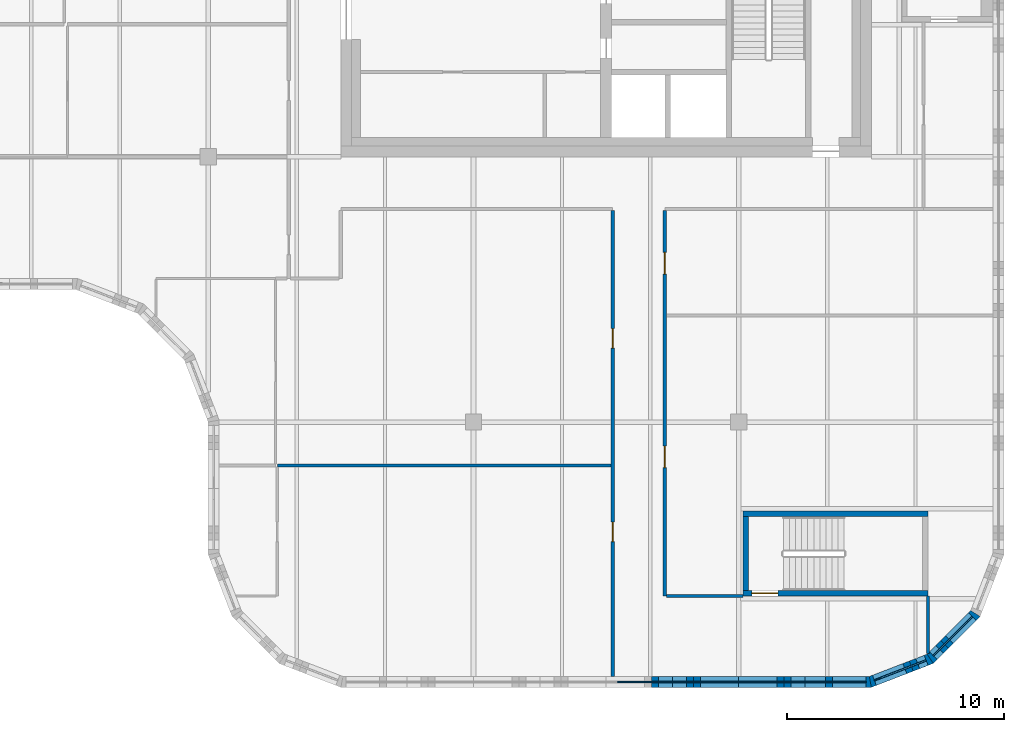
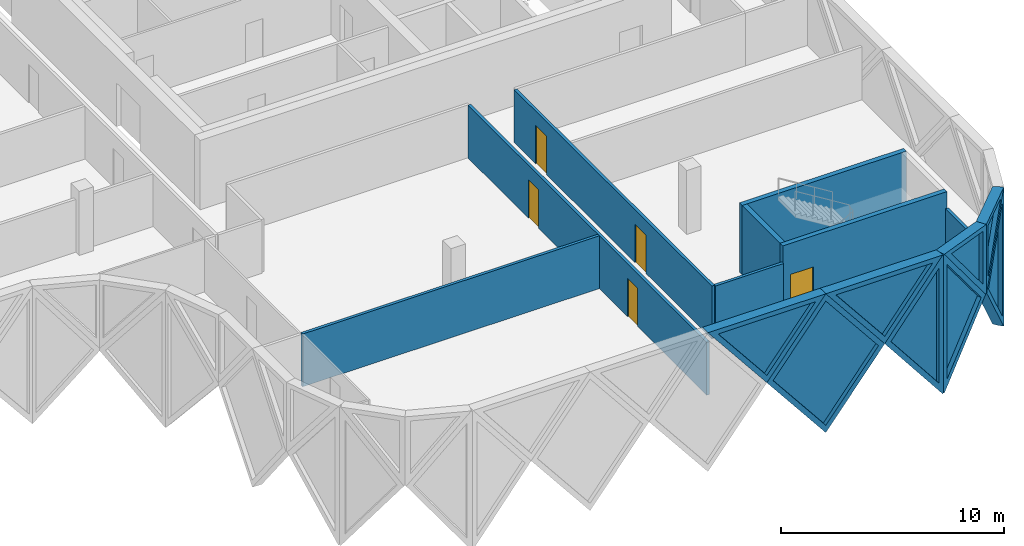
# One storey, part 6 of 15: 16 walls, 8 plates, 5 doors, 13 openings.
"""IFC4 building model written with IfcOpenShell, lengths in metres."""

import ifcopenshell
import ifcopenshell.guid

model = None  # the IFC model being written
_history = None  # IfcOwnerHistory: only IFC2X3 demands one
_inside = {}  # id of a spatial element -> (the spatial element, [elements in it])
_under = {}  # id of a project, library or spatial element -> (it, [spatial elements below it])
_declared = {}  # id of a project -> (the project, [libraries it declares])
_typed = {}  # id of a type object -> (the type object, [elements of that type])
_made_of = {}  # id of a material, layer set ... -> (it, [elements and type objects made of it])


def new_model(schema):
    """Start an empty IFC model of exactly this schema.

    Asked for "IFC4X3", IfcOpenShell would pick the latest addendum, in which some entities
    have other attributes; the version numbers below select the first issue.
    IFC2X3 requires an IfcOwnerHistory on every rooted entity: one is made here for all.
    """
    global model, _history
    if schema == "IFC4X3":
        model = ifcopenshell.file(schema_version=(4, 3, 0, 0))
    else:
        model = ifcopenshell.file(schema=schema)
    _inside.clear()
    _under.clear()
    _declared.clear()
    _typed.clear()
    _made_of.clear()
    _history = None
    if model.schema == "IFC2X3":
        org = make("IfcOrganization", Name="unknown")
        user = make(
            "IfcPersonAndOrganization",
            ThePerson=make("IfcPerson", FamilyName="unknown"),
            TheOrganization=org,
        )
        app = make(
            "IfcApplication",
            ApplicationDeveloper=org,
            Version="unknown",
            ApplicationFullName="unknown",
            ApplicationIdentifier="unknown",
        )
        _history = make(
            "IfcOwnerHistory",
            OwningUser=user,
            OwningApplication=app,
            ChangeAction="ADDED",
            CreationDate=0,
        )
    return model


def make(cls, **values):
    """One entity of the class cls with the attributes given. An attribute that is None is left unset."""
    return model.create_entity(
        cls, **{name: value for name, value in values.items() if value is not None}
    )


def rooted(cls, **values):
    """An entity with a GlobalId (a new one), such as an element, a storey or a relation."""
    return make(cls, GlobalId=ifcopenshell.guid.new(), OwnerHistory=_history, **values)


def si_unit(unit_type, name, prefix=None):
    """IfcSIUnit, for example si_unit("LENGTHUNIT", "METRE", prefix="MILLI")."""
    return make("IfcSIUnit", UnitType=unit_type, Prefix=prefix, Name=name)


def assignment(units):
    """IfcUnitAssignment: the units of a project."""
    return None if units is None else make("IfcUnitAssignment", Units=units)


def point(xyz):
    """IfcCartesianPoint."""
    return None if xyz is None else make("IfcCartesianPoint", Coordinates=xyz)


def direction(xyz):
    """IfcDirection."""
    return None if xyz is None else make("IfcDirection", DirectionRatios=xyz)


def frame(location, z_axis=None, x_axis=None):
    """IfcAxis2Placement3D, a coordinate frame: its origin and axes. An axis left out is left unset."""
    return make(
        "IfcAxis2Placement3D",
        Location=point(location),
        Axis=direction(z_axis),
        RefDirection=direction(x_axis),
    )


def frame_2d(location, x_axis=None):
    """IfcAxis2Placement2D, a coordinate frame in the plane: its origin and x axis."""
    return make(
        "IfcAxis2Placement2D", Location=point(location), RefDirection=direction(x_axis)
    )


def origin():
    """The frame at (0, 0, 0) with its axes left unset."""
    return frame((0.0, 0.0, 0.0))


def place(relative_to, where):
    """IfcLocalPlacement: puts the frame where relative to a parent placement (None: the world)."""
    return make(
        "IfcLocalPlacement", PlacementRelTo=relative_to, RelativePlacement=where
    )


def context(
    kind, dimensions, precision=None, world=None, true_north=None, identifier=None
):
    """IfcGeometricRepresentationContext, for example the 3D "Model" context."""
    return make(
        "IfcGeometricRepresentationContext",
        ContextIdentifier=identifier,
        ContextType=kind,
        CoordinateSpaceDimension=dimensions,
        Precision=precision,
        WorldCoordinateSystem=world,
        TrueNorth=true_north,
    )


def subcontext(parent, identifier, kind, view, scale=None):
    """IfcGeometricRepresentationSubContext, for example "Body" below "Model"."""
    return make(
        "IfcGeometricRepresentationSubContext",
        ContextIdentifier=identifier,
        ContextType=kind,
        ParentContext=parent,
        TargetScale=scale,
        TargetView=view,
    )


def project(units=None, contexts=None):
    """IfcProject with its units and contexts."""
    return rooted(
        "IfcProject",
        Name="project",
        RepresentationContexts=contexts,
        UnitsInContext=assignment(units),
    )


def spatial(cls, under=None, at=None, **own):
    """A site, building, storey or space (cls), placed at a placement, below another one or the project."""
    s = rooted(cls, ObjectPlacement=at, **own)
    if under is not None:
        _under.setdefault(under.id(), (under, []))[1].append(s)
    return s


def polyline(points):
    """IfcPolyline through the points."""
    return make("IfcPolyline", Points=[point(p) for p in points])


def profile(cls, at=None, kind="AREA", **sizes):
    """A parametric profile (cls). Its sizes go by their IFC names, for example OverallWidth=200.0."""
    return make(cls, ProfileType=kind, Position=at, **sizes)


def rectangle(**sizes):
    """IfcRectangleProfileDef."""
    return profile("IfcRectangleProfileDef", **sizes)


def outline(outer, holes=None, kind="AREA"):
    """IfcArbitraryClosedProfileDef: a profile drawn as a closed curve; with holes, ...WithVoids."""
    if holes is None:
        return make("IfcArbitraryClosedProfileDef", ProfileType=kind, OuterCurve=outer)
    return make(
        "IfcArbitraryProfileDefWithVoids",
        ProfileType=kind,
        OuterCurve=outer,
        InnerCurves=holes,
    )


def extrude(swept, where, along, depth):
    """IfcExtrudedAreaSolid: the profile swept, set in the frame where, extruded along a direction by depth."""
    return make(
        "IfcExtrudedAreaSolid",
        SweptArea=swept,
        Position=where,
        ExtrudedDirection=direction(along),
        Depth=depth,
    )


def faces_of(points, faces, orient=None, outer=None):
    """IfcFace entities. A face is a list of loops; a loop is a list of indices into points, from 0.

    orient and outer hold one flag for each loop. By default every Orientation is true, the
    first loop of a face is its IfcFaceOuterBound and the others are IfcFaceBound.
    """
    made = []
    for i, loops in enumerate(faces):
        bounds = []
        for j, loop in enumerate(loops):
            is_outer = j == 0 if outer is None else outer[i][j]
            bounds.append(
                make(
                    "IfcFaceOuterBound" if is_outer else "IfcFaceBound",
                    Bound=make("IfcPolyLoop", Polygon=[points[k] for k in loop]),
                    Orientation=True if orient is None else orient[i][j],
                )
            )
        made.append(make("IfcFace", Bounds=bounds))
    return made


def faceted_brep(points, faces, orient=None, outer=None, voids=None):
    """IfcFacetedBrep: a solid bounded by flat faces; with voids (closed shells), ...WithVoids."""
    shared = [point(p) for p in points]
    hull = make("IfcClosedShell", CfsFaces=faces_of(shared, faces, orient, outer))
    if voids is None:
        return make("IfcFacetedBrep", Outer=hull)
    return make(
        "IfcFacetedBrepWithVoids",
        Outer=hull,
        Voids=[
            make(cls, CfsFaces=faces_of(shared, fs, o, b)) for cls, fs, o, b in voids
        ],
    )


def shape(context_of_items, identifier, shape_type, items):
    """IfcShapeRepresentation: the items that make up one representation, for example the "Body"."""
    return make(
        "IfcShapeRepresentation",
        ContextOfItems=context_of_items,
        RepresentationIdentifier=identifier,
        RepresentationType=shape_type,
        Items=items,
    )


def source(mapping_origin, context_of_items, identifier, shape_type, items):
    """IfcRepresentationMap: a shape defined once, which mapped items show again and again."""
    return make(
        "IfcRepresentationMap",
        MappingOrigin=mapping_origin,
        MappedRepresentation=shape(context_of_items, identifier, shape_type, items),
    )


def transform(
    local_origin,
    x_axis=None,
    y_axis=None,
    z_axis=None,
    scale=None,
    scale2=None,
    scale3=None,
    uniform=True,
):
    """IfcCartesianTransformationOperator3D, or its non-uniform kind. x_axis, y_axis, z_axis: its Axis1, 2, 3."""
    if uniform:
        return make(
            "IfcCartesianTransformationOperator3D",
            Axis1=direction(x_axis),
            Axis2=direction(y_axis),
            LocalOrigin=point(local_origin),
            Scale=scale,
            Axis3=direction(z_axis),
        )
    return make(
        "IfcCartesianTransformationOperator3DnonUniform",
        Axis1=direction(x_axis),
        Axis2=direction(y_axis),
        LocalOrigin=point(local_origin),
        Scale=scale,
        Axis3=direction(z_axis),
        Scale2=scale2,
        Scale3=scale3,
    )


def mapped(mapping_source, mapping_target):
    """IfcMappedItem: shows the shape of a source again, moved by a transform."""
    return make(
        "IfcMappedItem", MappingSource=mapping_source, MappingTarget=mapping_target
    )


def material(Name=None, Category=None):
    """IfcMaterial."""
    return make("IfcMaterial", Name=Name, Category=Category)


def layer(
    of_material, thickness, ventilated=None, Name=None, Category=None, Priority=None
):
    """IfcMaterialLayer: one layer of a wall or slab, of a material (None: an air gap)."""
    return make(
        "IfcMaterialLayer",
        Material=of_material,
        LayerThickness=thickness,
        IsVentilated=ventilated,
        Name=Name,
        Category=Category,
        Priority=Priority,
    )


def layer_set(layers, Name=None):
    """IfcMaterialLayerSet."""
    return make("IfcMaterialLayerSet", MaterialLayers=layers, LayerSetName=Name)


def made_of(thing, what):
    """Note that an element or type object is made of a material, layer set ...; save() writes the relation."""
    if what is not None:
        _made_of.setdefault(what.id(), (what, []))[1].append(thing)
    return thing


def type_object(cls, material=None, **own):
    """A type object (cls), such as IfcWallType, which elements share."""
    return made_of(rooted(cls, **own), material)


def element(
    cls,
    number,
    at=None,
    inside=None,
    cuts=None,
    type_object=None,
    material=None,
    context=None,
    identifier="Body",
    shape_type=None,
    held_by="IfcProductDefinitionShape",
    body=None,
    shapes=None,
    **own,
):
    """One element of the class cls, such as IfcWall. Its Tag is "e" and its number.

    at: its placement. inside: the storey or other place that contains it. cuts: it is an
    opening in that element (IfcRelVoidsElement). A single representation is given by context,
    identifier, shape_type and body (its items); several are given by shapes. held_by: the class
    of the entity that holds the representations. save() writes the other relations.
    """
    e = rooted(cls, Tag="e%d" % number, ObjectPlacement=at, **own)
    if body is not None:
        shapes = [shape(context, identifier, shape_type, body)]
    if shapes is not None:
        e.Representation = make(held_by, Representations=shapes)
    if inside is not None:
        _inside.setdefault(inside.id(), (inside, []))[1].append(e)
    if cuts is not None:
        rooted(
            "IfcRelVoidsElement", RelatingBuildingElement=cuts, RelatedOpeningElement=e
        )
    if type_object is not None:
        _typed.setdefault(type_object.id(), (type_object, []))[1].append(e)
    return made_of(e, material)


def fill(opening, filler):
    """IfcRelFillsElement: the door or window that sits in an opening."""
    return rooted(
        "IfcRelFillsElement",
        RelatingOpeningElement=opening,
        RelatedBuildingElement=filler,
    )


def aggregate(whole, parts):
    """IfcRelAggregates: a whole, such as a stair, and the parts it consists of."""
    return rooted("IfcRelAggregates", RelatingObject=whole, RelatedObjects=parts)


def save(model, path):
    """Write the relations noted so far, then the file.

    IfcRelAggregates (storeys below a building ...), IfcRelContainedInSpatialStructure (elements
    in a storey), IfcRelDefinesByType, IfcRelAssociatesMaterial and IfcRelDeclares: one each for
    every whole, place, type object, material and project.
    """
    for whole, parts in _under.values():
        aggregate(whole, parts)
    for where, things in _inside.values():
        rooted(
            "IfcRelContainedInSpatialStructure",
            RelatedElements=things,
            RelatingStructure=where,
        )
    for kind, things in _typed.values():
        rooted("IfcRelDefinesByType", RelatedObjects=things, RelatingType=kind)
    for what, things in _made_of.values():
        rooted("IfcRelAssociatesMaterial", RelatedObjects=things, RelatingMaterial=what)
    for by, libraries in _declared.values():
        rooted("IfcRelDeclares", RelatingContext=by, RelatedDefinitions=libraries)
    model.write(path)


model = new_model("IFC4")

# Units and contexts
model_context = context("Model", 3, precision=1e-05, world=origin(), true_north=direction((0.0, 1.0)))
body_context = subcontext(model_context, "Body", "Model", "MODEL_VIEW")
ifc_project = project(units=[si_unit("LENGTHUNIT", "METRE"), si_unit("AREAUNIT", "SQUARE_METRE"), si_unit("VOLUMEUNIT", "CUBIC_METRE"), si_unit("PLANEANGLEUNIT", "RADIAN"), si_unit("MASSUNIT", "GRAM", prefix="KILO")], contexts=[model_context])

# Site, building, storey
site_placement = place(None, origin())
site = spatial("IfcSite", under=ifc_project, at=site_placement, CompositionType="ELEMENT")
building_placement = place(site_placement, origin())
building = spatial("IfcBuilding", under=site, at=building_placement, Name="Tessera Gate Towers", CompositionType="ELEMENT")
storey_placement = place(building_placement, frame((0.0, 0.0, 228.300048828125)))
storey = spatial("IfcBuildingStorey", under=building, at=storey_placement, Name="L57", CompositionType="ELEMENT", Elevation=228.300048828125)

# Wall, opening, door
ifc_material_1 = material(Name="Concrete C40/50", Category="concrete")
ifc_layer_1 = layer(ifc_material_1, 0.25)
ifc_layer_set_1 = layer_set([ifc_layer_1], Name="CORE ENCLOSURE WALL 250")
wall_type_1 = type_object("IfcWallType", Name="CORE ENCLOSURE WALL 250", PredefinedType="SOLIDWALL", material=ifc_layer_set_1)
wall_1_placement = place(storey_placement, frame((57.5, 4.324951171875, 0.0), z_axis=(0.0, 0.0, 1.0), x_axis=(-1.0, 0.0, 0.0)))
wall_1 = element("IfcWall", 1, at=wall_1_placement, inside=storey, type_object=wall_type_1, Name="L57 ST4 enclosure wall", PredefinedType="SOLIDWALL", context=body_context, shape_type="SweptSolid", body=[
    extrude(rectangle(XDim=8.5, YDim=0.25, at=frame_2d((4.25, 0.0))), origin(), (0.0, 0.0, 1.0), 3.800048828125),
])
shared_shape_1 = source(origin(), body_context, "Body", "SweptSolid", [
    extrude(rectangle(XDim=1.199951171875, YDim=2.10009765625, at=frame_2d((0.60009765625, 1.050048828125))), frame((0.0, 0.135009765625, 0.0), z_axis=(0.0, -1.0, 0.0), x_axis=(1.0, 0.0, 0.0)), (0.0, 0.0, 1.0), 0.27001953125),
])
opening_1_placement = place(wall_1_placement, frame((6.89990234375, 0.0, 0.0)))
opening_1 = element("IfcOpeningElement", 2, at=opening_1_placement, cuts=wall_1, Name="Opening SD-ST4-1", PredefinedType="OPENING", context=body_context, shape_type="MappedRepresentation", body=[
    mapped(shared_shape_1, transform((0.0, 0.0, 0.0), scale=1.0)),
])
ifc_material_2 = material(Name="Hollow steel fire door", Category="steel")
door_type_1 = type_object("IfcDoorType", Name="CORE DOOR SD 1200x2100", OperationType="NOTDEFINED", PredefinedType="DOOR", material=ifc_material_2)
shared_shape_2 = source(origin(), body_context, "Body", "SweptSolid", [
    extrude(rectangle(XDim=1.199951171875, YDim=2.10009765625, at=frame_2d((0.60009765625, 1.050048828125))), frame((0.0, 0.02490234375, 0.0), z_axis=(0.0, -1.0, 0.0), x_axis=(1.0, 0.0, 0.0)), (0.0, 0.0, 1.0), 0.050048828125),
])
door_1_placement = place(opening_1_placement, origin())
door_1 = element("IfcDoor", 3, at=door_1_placement, inside=storey, type_object=door_type_1, Name="Stair door", OperationType="SINGLE_SWING_RIGHT", OverallHeight=2.10009765625, OverallWidth=1.199951171875, PredefinedType="DOOR", context=body_context, shape_type="MappedRepresentation", body=[
    mapped(shared_shape_2, transform((0.0, 0.0, 0.0), scale=1.0)),
])
fill(opening_1, door_1)

# Walls
wall_2_placement = place(storey_placement, frame((49.125, 4.449951171875, 0.0), z_axis=(0.0, 0.0, 1.0), x_axis=(0.0, 1.0, 0.0)))
element("IfcWall", 4, at=wall_2_placement, inside=storey, type_object=wall_type_1, Name="L57 ST4 enclosure wall", PredefinedType="SOLIDWALL", context=body_context, shape_type="SweptSolid", body=[
    extrude(rectangle(XDim=3.400146484375, YDim=0.25, at=frame_2d((1.7001953125, 0.0))), origin(), (0.0, 0.0, 1.0), 3.800048828125),
])
wall_3_placement = place(storey_placement, frame((49.0, 7.97509765625, 0.0), z_axis=(0.0, 0.0, 1.0), x_axis=(1.0, 0.0, 0.0)))
element("IfcWall", 5, at=wall_3_placement, inside=storey, type_object=wall_type_1, Name="L57 ST4 enclosure wall", PredefinedType="SOLIDWALL", context=body_context, shape_type="SweptSolid", body=[
    extrude(rectangle(XDim=8.5, YDim=0.25, at=frame_2d((4.25, 0.0))), origin(), (0.0, 0.0, 1.0), 3.800048828125),
])

# Wall, openings, doors
ifc_material_3 = material(Name="Gypsum board on steel studs, mineral wool", Category="steel")
ifc_layer_2 = layer(ifc_material_3, 0.14990234375)
ifc_layer_set_2 = layer_set([ifc_layer_2], Name="CORRIDOR WALL 150")
wall_type_2 = type_object("IfcWallType", Name="CORRIDOR WALL 150", PredefinedType="PARTITIONING", material=ifc_layer_set_2)
wall_4_placement = place(storey_placement, frame((43.0, 0.5, 0.0), z_axis=(0.0, 0.0, 1.0), x_axis=(0.0, 1.0, 0.0)))
wall_4 = element("IfcWall", 6, at=wall_4_placement, inside=storey, type_object=wall_type_2, Name="T1-L57-PW-001", PredefinedType="PARTITIONING", context=body_context, shape_type="SweptSolid", body=[
    extrude(rectangle(XDim=21.424072265625, YDim=0.14990234375, at=frame_2d((10.7119140625, 0.0))), origin(), (0.0, 0.0, 1.0), 2.887939453125),
])
shared_shape_3 = source(origin(), body_context, "Body", "SweptSolid", [
    extrude(rectangle(XDim=0.89990234375, YDim=2.10009765625, at=frame_2d((0.449951171875, 1.050048828125))), frame((0.0, 0.0849609375, 0.0), z_axis=(0.0, -1.0, 0.0), x_axis=(1.0, 0.0, 0.0)), (0.0, 0.0, 1.0), 0.169921875),
])
opening_2_placement = place(wall_4_placement, frame((6.199951171875, 0.0, 0.0)))
opening_2 = element("IfcOpeningElement", 7, at=opening_2_placement, cuts=wall_4, Name="Opening D890FD60-A20-03", PredefinedType="OPENING", context=body_context, shape_type="MappedRepresentation", body=[
    mapped(shared_shape_3, transform((0.0, 0.0, 0.0), scale=1.0)),
])
opening_3_placement = place(wall_4_placement, frame((15.10009765625, 0.0, 0.0)))
opening_3 = element("IfcOpeningElement", 8, at=opening_3_placement, cuts=wall_4, Name="Opening D890FD60-A20-08", PredefinedType="OPENING", context=body_context, shape_type="MappedRepresentation", body=[
    mapped(shared_shape_3, transform((0.0, 0.0, 0.0), scale=1.0)),
])
ifc_material_4 = material(Name="Timber door leaf in steel frame", Category="steel")
door_type_2 = type_object("IfcDoorType", Name="CORRIDOR DOOR 900 FD60", OperationType="NOTDEFINED", PredefinedType="DOOR", material=ifc_material_4)
shared_shape_4 = source(origin(), body_context, "Body", "SweptSolid", [
    extrude(rectangle(XDim=0.89990234375, YDim=2.10009765625, at=frame_2d((0.449951171875, 1.050048828125))), frame((0.0, 0.02490234375, 0.0), z_axis=(0.0, -1.0, 0.0), x_axis=(1.0, 0.0, 0.0)), (0.0, 0.0, 1.0), 0.050048828125),
])
door_2_placement = place(opening_2_placement, origin())
door_2 = element("IfcDoor", 9, at=door_2_placement, inside=storey, type_object=door_type_2, Name="T1-L57-PD-014", OperationType="SINGLE_SWING_LEFT", OverallHeight=2.10009765625, OverallWidth=0.89990234375, PredefinedType="DOOR", context=body_context, shape_type="MappedRepresentation", body=[
    mapped(shared_shape_4, transform((0.0, 0.0, 0.0), scale=1.0)),
])
fill(opening_2, door_2)
door_3_placement = place(opening_3_placement, origin())
door_3 = element("IfcDoor", 10, at=door_3_placement, inside=storey, type_object=door_type_2, Name="T1-L57-PD-023", OperationType="SINGLE_SWING_LEFT", OverallHeight=2.10009765625, OverallWidth=0.89990234375, PredefinedType="DOOR", context=body_context, shape_type="MappedRepresentation", body=[
    mapped(shared_shape_4, transform((0.0, 0.0, 0.0), scale=1.0)),
])
fill(opening_3, door_3)

# Wall
wall_5_placement = place(storey_placement, frame((57.5, 1.55908203125, 0.0), z_axis=(0.0, 0.0, 1.0), x_axis=(0.0, 1.0, 0.0)))
element("IfcWall", 11, at=wall_5_placement, inside=storey, type_object=wall_type_2, Name="T1-L57-PW-002", PredefinedType="PARTITIONING", context=body_context, shape_type="SweptSolid", body=[
    extrude(rectangle(XDim=2.640869140625, YDim=0.14990234375, at=frame_2d((1.3203125, 0.0))), origin(), (0.0, 0.0, 1.0), 2.887939453125),
])

# Wall, openings, doors
wall_6_placement = place(storey_placement, frame((45.39990234375, 21.924072265625, 0.0), z_axis=(0.0, 0.0, 1.0), x_axis=(0.0, -1.0, 0.0)))
wall_6 = element("IfcWall", 12, at=wall_6_placement, inside=storey, type_object=wall_type_2, Name="T1-L57-PW-005", PredefinedType="PARTITIONING", context=body_context, shape_type="SweptSolid", body=[
    extrude(rectangle(XDim=17.72412109375, YDim=0.14990234375, at=frame_2d((8.862060546875, 0.0))), origin(), (0.0, 0.0, 1.0), 2.887939453125),
])
shared_shape_5 = source(origin(), body_context, "Body", "SweptSolid", [
    extrude(rectangle(XDim=1.0, YDim=2.10009765625, at=frame_2d((0.5, 1.050048828125))), frame((0.0, 0.0849609375, 0.0), z_axis=(0.0, -1.0, 0.0), x_axis=(1.0, 0.0, 0.0)), (0.0, 0.0, 1.0), 0.169921875),
])
opening_4_placement = place(wall_6_placement, frame((1.923095703125, 0.0, 0.0)))
opening_4 = element("IfcOpeningElement", 13, at=opening_4_placement, cuts=wall_6, Name="Opening D2100FD60-A20-02", PredefinedType="OPENING", context=body_context, shape_type="MappedRepresentation", body=[
    mapped(shared_shape_5, transform((0.0, 0.0, 0.0), scale=1.0)),
])
opening_5_placement = place(wall_6_placement, frame((10.823974609375, 0.0, 0.0)))
opening_5 = element("IfcOpeningElement", 14, at=opening_5_placement, cuts=wall_6, Name="Opening D2100FD60-A20-04", PredefinedType="OPENING", context=body_context, shape_type="MappedRepresentation", body=[
    mapped(shared_shape_5, transform((0.0, 0.0, 0.0), scale=1.0)),
])
ifc_material_5 = material(Name="Timber door leaf in steel frame", Category="steel")
door_type_3 = type_object("IfcDoorType", Name="TENANCY ENTRANCE DOOR 1000 FD60", OperationType="NOTDEFINED", PredefinedType="DOOR", material=ifc_material_5)
shared_shape_6 = source(origin(), body_context, "Body", "SweptSolid", [
    extrude(rectangle(XDim=1.0, YDim=2.10009765625, at=frame_2d((0.5, 1.050048828125))), frame((0.0, 0.02490234375, 0.0), z_axis=(0.0, -1.0, 0.0), x_axis=(1.0, 0.0, 0.0)), (0.0, 0.0, 1.0), 0.050048828125),
])
door_4_placement = place(opening_4_placement, origin())
door_4 = element("IfcDoor", 15, at=door_4_placement, inside=storey, type_object=door_type_3, Name="T1-L57-PD-008", OperationType="SINGLE_SWING_RIGHT", OverallHeight=2.10009765625, OverallWidth=1.0, PredefinedType="DOOR", context=body_context, shape_type="MappedRepresentation", body=[
    mapped(shared_shape_6, transform((0.0, 0.0, 0.0), scale=1.0)),
])
fill(opening_4, door_4)
door_5_placement = place(opening_5_placement, origin())
door_5 = element("IfcDoor", 16, at=door_5_placement, inside=storey, type_object=door_type_3, Name="T1-L57-PD-027", OperationType="SINGLE_SWING_RIGHT", OverallHeight=2.10009765625, OverallWidth=1.0, PredefinedType="DOOR", context=body_context, shape_type="MappedRepresentation", body=[
    mapped(shared_shape_6, transform((0.0, 0.0, 0.0), scale=1.0)),
])
fill(opening_5, door_5)

# Walls
wall_7_placement = place(storey_placement, frame((45.47607421875, 4.199951171875, 0.0), z_axis=(0.0, 0.0, 1.0), x_axis=(1.0, 0.0, 0.0)))
element("IfcWall", 17, at=wall_7_placement, inside=storey, type_object=wall_type_2, Name="T1-L57-PW-006", PredefinedType="PARTITIONING", context=body_context, shape_type="SweptSolid", body=[
    extrude(rectangle(XDim=3.52392578125, YDim=0.14990234375, at=frame_2d((1.761962890625, 0.0))), origin(), (0.0, 0.0, 1.0), 2.887939453125),
])
ifc_material_6 = material(Name="Gypsum board on steel studs, mineral wool", Category="steel")
ifc_layer_3 = layer(ifc_material_6, 0.14990234375)
ifc_layer_set_3 = layer_set([ifc_layer_3], Name="TENANCY WALL 150")
wall_type_3 = type_object("IfcWallType", Name="TENANCY WALL 150", PredefinedType="PARTITIONING", material=ifc_layer_set_3)
wall_8_placement = place(storey_placement, frame((27.574951171875, 10.199951171875, 0.0), z_axis=(0.0, 0.0, 1.0), x_axis=(1.0, 0.0, 0.0)))
element("IfcWall", 18, at=wall_8_placement, inside=storey, type_object=wall_type_3, Name="T1-L57-PW-008", PredefinedType="PARTITIONING", context=body_context, shape_type="SweptSolid", body=[
    extrude(rectangle(XDim=15.34912109375, YDim=0.14990234375, at=frame_2d((7.674560546875, 0.0))), origin(), (0.0, 0.0, 1.0), 2.887939453125),
])

# Wall, opening, plate
ifc_material_7 = material(Name="Precast concrete C60/75 white", Category="concrete")
ifc_layer_4 = layer(ifc_material_7, 0.5)
ifc_layer_set_4 = layer_set([ifc_layer_4], Name="TS1 tessera")
wall_type_4 = type_object("IfcWallType", Name="TS1 tessera", PredefinedType="SOLIDWALL", material=ifc_layer_set_4)
shared_shape_7 = source(origin(), body_context, "Body", "SweptSolid", [
    extrude(outline(polyline([(3.050048828125, 0.0), (6.10009765625, 3.800048828125), (3.050048828125, 7.60009765625), (0.0, 3.800048828125), (3.050048828125, 0.0)])), frame((0.0, 0.25, 0.0), z_axis=(0.0, -1.0, 0.0), x_axis=(1.0, 0.0, 0.0)), (0.0, 0.0, 1.0), 0.5),
])
wall_9_placement = place(storey_placement, frame((45.75, 0.25, -3.800048828125), z_axis=(0.0, 0.0, 1.0), x_axis=(1.0, 0.0, 0.0)))
wall_9 = element("IfcWall", 19, at=wall_9_placement, inside=storey, type_object=wall_type_4, Name="Precast tessera T1 TS1-1014", PredefinedType="SOLIDWALL", context=body_context, shape_type="MappedRepresentation", body=[
    mapped(shared_shape_7, transform((0.0, 0.0, 0.0), scale=1.0)),
])
shared_shape_8 = source(origin(), body_context, "Body", "SweptSolid", [
    extrude(outline(polyline([(3.050048828125, 0.3994140625), (5.779541015625, 3.800048828125), (3.050048828125, 7.20068359375), (0.320556640625, 3.800048828125), (3.050048828125, 0.3994140625)])), frame((0.0, 0.260009765625, 0.0), z_axis=(0.0, -1.0, 0.0), x_axis=(1.0, 0.0, 0.0)), (0.0, 0.0, 1.0), 0.52001953125),
])
opening_6_placement = place(wall_9_placement, origin())
opening_6 = element("IfcOpeningElement", 20, at=opening_6_placement, cuts=wall_9, Name="Opening T1-PL2-2072", PredefinedType="OPENING", context=body_context, shape_type="MappedRepresentation", body=[
    mapped(shared_shape_8, transform((0.0, 0.0, 0.0), scale=1.0)),
])
ifc_material_8 = material(Name="Low-e laminated glass", Category="glass")
ifc_layer_5 = layer(ifc_material_8, 0.06005859375)
ifc_layer_set_5 = layer_set([ifc_layer_5], Name="PL2 rhombic pane")
plate_type_1 = type_object("IfcPlateType", Name="PL2 rhombic pane", PredefinedType="SHEET", material=ifc_layer_set_5)
shared_shape_9 = source(origin(), body_context, "Body", "SweptSolid", [
    extrude(outline(polyline([(3.050048828125, 0.3994140625), (5.779541015625, 3.800048828125), (3.050048828125, 7.20068359375), (0.320556640625, 3.800048828125), (3.050048828125, 0.3994140625)])), frame((0.0, 0.030029296875, 0.0), z_axis=(0.0, -1.0, 0.0), x_axis=(1.0, 0.0, 0.0)), (0.0, 0.0, 1.0), 0.06005859375),
])
plate_1_placement = place(opening_6_placement, origin())
plate_1 = element("IfcPlate", 21, at=plate_1_placement, inside=storey, type_object=plate_type_1, Name="Glass pane T1 PL2-2072", PredefinedType="SHEET", context=body_context, shape_type="MappedRepresentation", body=[
    mapped(shared_shape_9, transform((0.0, 0.0, 0.0), scale=1.0)),
])
fill(opening_6, plate_1)

ifc_material_9 = material(Name="Precast concrete C60/75 white", Category="concrete")
ifc_layer_6 = layer(ifc_material_9, 0.5)
ifc_layer_set_6 = layer_set([ifc_layer_6], Name="TS3 corner tessera")
wall_type_5 = type_object("IfcWallType", Name="TS3 corner tessera", PredefinedType="SOLIDWALL", material=ifc_layer_set_6)
shared_shape_10 = source(origin(), body_context, "Body", "Brep", [
    faceted_brep([(3.00341796875, -0.25, 0.0), (3.050048828125, -0.25, 0.06005859375), (3.050048828125, -0.25, 7.5400390625), (3.00341796875, -0.25, 7.60009765625), (0.0, -0.25, 3.800048828125), (0.0, 0.25, 3.800048828125), (2.956787109375, 0.25, 7.541259765625), (2.956787109375, 0.25, 0.058837890625), (3.00341796875, 0.000244140625, 0.0), (3.00341796875, 0.000244140625, 7.60009765625)], [[[0, 1, 2, 3, 4]], [[5, 6, 7]], [[1, 0, 8]], [[9, 3, 2]], [[6, 5, 4, 3, 9]], [[5, 7, 8, 0, 4]], [[1, 8, 7, 6, 9, 2]]]),
])
wall_10_placement = place(storey_placement, frame((51.85009765625, 0.25, -3.800048828125), z_axis=(0.0, 0.0, 1.0), x_axis=(1.0, 0.0, 0.0)))
wall_10 = element("IfcWall", 22, at=wall_10_placement, inside=storey, type_object=wall_type_5, Name="Precast corner tessera T1 TS3-1323", PredefinedType="SOLIDWALL", context=body_context, shape_type="MappedRepresentation", body=[
    mapped(shared_shape_10, transform((0.0, 0.0, 0.0), scale=1.0)),
])
shared_shape_11 = source(origin(), body_context, "Body", "SweptSolid", [
    extrude(outline(polyline([(2.803466796875, 6.94384765625), (0.318603515625, 3.800048828125), (2.803466796875, 0.65625), (2.803466796875, 6.94384765625)])), frame((0.0, 0.260009765625, 0.0), z_axis=(0.0, -1.0, 0.0), x_axis=(1.0, 0.0, 0.0)), (0.0, 0.0, 1.0), 0.52001953125),
])
opening_7_placement = place(wall_10_placement, origin())
opening_7 = element("IfcOpeningElement", 23, at=opening_7_placement, cuts=wall_10, Name="Opening T1-PL2-2073", PredefinedType="OPENING", context=body_context, shape_type="MappedRepresentation", body=[
    mapped(shared_shape_11, transform((0.0, 0.0, 0.0), scale=1.0)),
])
shared_shape_12 = source(origin(), body_context, "Body", "SweptSolid", [
    extrude(outline(polyline([(2.803466796875, 6.94384765625), (0.318603515625, 3.800048828125), (2.803466796875, 0.65625), (2.803466796875, 6.94384765625)])), frame((0.0, 0.030029296875, 0.0), z_axis=(0.0, -1.0, 0.0), x_axis=(1.0, 0.0, 0.0)), (0.0, 0.0, 1.0), 0.06005859375),
])
plate_2_placement = place(opening_7_placement, origin())
plate_2 = element("IfcPlate", 24, at=plate_2_placement, inside=storey, type_object=plate_type_1, Name="Glass pane T1 PL2-2073", PredefinedType="SHEET", context=body_context, shape_type="MappedRepresentation", body=[
    mapped(shared_shape_12, transform((0.0, 0.0, 0.0), scale=1.0)),
])
fill(opening_7, plate_2)

shared_shape_13 = source(origin(), body_context, "Body", "Brep", [
    faceted_brep([(0.046630859375, -0.25, 0.0), (2.9970703125, -0.25, 3.800048828125), (0.046630859375, -0.25, 7.60009765625), (0.0, -0.25, 7.541259765625), (0.0, -0.25, 0.058837890625), (0.09326171875, 0.25, 7.5400390625), (2.9443359375, 0.25, 3.8681640625), (2.9443359375, 0.25, 3.73193359375), (0.09326171875, 0.25, 0.06005859375), (2.9970703125, 0.00048828125, 3.800048828125), (0.046630859375, 0.0, 0.0), (0.046630859375, 0.0, 7.60009765625)], [[[0, 1, 2, 3, 4]], [[5, 6, 7, 8]], [[8, 7, 9, 1, 0, 10]], [[6, 5, 11, 2, 1, 9]], [[3, 2, 11]], [[10, 0, 4]], [[8, 10, 4, 3, 11, 5]], [[9, 7, 6]]]),
])
wall_11_placement = place(storey_placement, frame((54.81005859375, 0.233154296875, -3.800048828125), z_axis=(0.0, 0.0, 1.0), x_axis=(0.932990326376, 0.359901446078, 0.0)))
wall_11 = element("IfcWall", 25, at=wall_11_placement, inside=storey, type_object=wall_type_5, Name="Precast corner tessera T1 TS3-1324", PredefinedType="SOLIDWALL", context=body_context, shape_type="MappedRepresentation", body=[
    mapped(shared_shape_13, transform((0.0, 0.0, 0.0), scale=1.0)),
])
shared_shape_14 = source(origin(), body_context, "Body", "SweptSolid", [
    extrude(outline(polyline([(0.24658203125, 0.665283203125), (2.6806640625, 3.800048828125), (0.24658203125, 6.934814453125), (0.24658203125, 0.665283203125)])), frame((0.0, 0.260009765625, 0.0), z_axis=(0.0, -1.0, 0.0), x_axis=(1.0, 0.0, 0.0)), (0.0, 0.0, 1.0), 0.52001953125),
])
opening_8_placement = place(wall_11_placement, origin())
opening_8 = element("IfcOpeningElement", 26, at=opening_8_placement, cuts=wall_11, Name="Opening T1-PL2-2074", PredefinedType="OPENING", context=body_context, shape_type="MappedRepresentation", body=[
    mapped(shared_shape_14, transform((0.0, 0.0, 0.0), scale=1.0)),
])
shared_shape_15 = source(origin(), body_context, "Body", "SweptSolid", [
    extrude(outline(polyline([(0.24658203125, 0.665283203125), (2.6806640625, 3.800048828125), (0.24658203125, 6.934814453125), (0.24658203125, 0.665283203125)])), frame((0.0, 0.030029296875, 0.0), z_axis=(0.0, -1.0, 0.0), x_axis=(1.0, 0.0, 0.0)), (0.0, 0.0, 1.0), 0.06005859375),
])
plate_3_placement = place(opening_8_placement, origin())
plate_3 = element("IfcPlate", 27, at=plate_3_placement, inside=storey, type_object=plate_type_1, Name="Glass pane T1 PL2-2074", PredefinedType="SHEET", context=body_context, shape_type="MappedRepresentation", body=[
    mapped(shared_shape_15, transform((0.0, 0.0, 0.0), scale=1.0)),
])
fill(opening_8, plate_3)

shared_shape_16 = source(origin(), body_context, "Body", "Brep", [
    faceted_brep([(2.944091796875, -0.25, 0.0), (2.9970703125, -0.25, 0.068115234375), (2.9970703125, -0.25, 7.531982421875), (2.944091796875, -0.25, 7.60009765625), (0.0, -0.25, 3.800048828125), (0.052978515625, 0.25, 3.868408203125), (2.89111328125, 0.25, 7.531982421875), (2.89111328125, 0.25, 0.068115234375), (0.052978515625, 0.25, 3.731689453125), (2.944091796875, 0.000244140625, 0.0), (2.944091796875, 0.000244140625, 7.60009765625), (0.0, 0.0, 3.800048828125)], [[[0, 1, 2, 3, 4]], [[5, 6, 7, 8]], [[1, 0, 9]], [[10, 3, 2]], [[6, 5, 11, 4, 3, 10]], [[8, 7, 9, 0, 4, 11]], [[8, 11, 5]], [[1, 9, 7, 6, 10, 2]]]),
])
wall_12_placement = place(storey_placement, frame((57.606201171875, 1.31201171875, -3.800048828125), z_axis=(0.0, 0.0, 1.0), x_axis=(0.707147509625, 0.707066050402, 0.0)))
wall_12 = element("IfcWall", 28, at=wall_12_placement, inside=storey, type_object=wall_type_5, Name="Precast corner tessera T1 TS3-1325", PredefinedType="SOLIDWALL", context=body_context, shape_type="MappedRepresentation", body=[
    mapped(shared_shape_16, transform((0.0, 0.0, 0.0), scale=1.0)),
])
shared_shape_17 = source(origin(), body_context, "Body", "SweptSolid", [
    extrude(outline(polyline([(2.744140625, 6.93359375), (0.316162109375, 3.800048828125), (2.744140625, 0.666259765625), (2.744140625, 6.93359375)])), frame((0.0, 0.260009765625, 0.0), z_axis=(0.0, -1.0, 0.0), x_axis=(1.0, 0.0, 0.0)), (0.0, 0.0, 1.0), 0.52001953125),
])
opening_9_placement = place(wall_12_placement, origin())
opening_9 = element("IfcOpeningElement", 29, at=opening_9_placement, cuts=wall_12, Name="Opening T1-PL2-2075", PredefinedType="OPENING", context=body_context, shape_type="MappedRepresentation", body=[
    mapped(shared_shape_17, transform((0.0, 0.0, 0.0), scale=1.0)),
])
shared_shape_18 = source(origin(), body_context, "Body", "SweptSolid", [
    extrude(outline(polyline([(2.744140625, 6.93359375), (0.316162109375, 3.800048828125), (2.744140625, 0.666259765625), (2.744140625, 6.93359375)])), frame((0.0, 0.030029296875, 0.0), z_axis=(0.0, -1.0, 0.0), x_axis=(1.0, 0.0, 0.0)), (0.0, 0.0, 1.0), 0.06005859375),
])
plate_4_placement = place(opening_9_placement, origin())
plate_4 = element("IfcPlate", 30, at=plate_4_placement, inside=storey, type_object=plate_type_1, Name="Glass pane T1 PL2-2075", PredefinedType="SHEET", context=body_context, shape_type="MappedRepresentation", body=[
    mapped(shared_shape_18, transform((0.0, 0.0, 0.0), scale=1.0)),
])
fill(opening_9, plate_4)

ifc_material_10 = material(Name="Precast concrete C60/75 white", Category="concrete")
ifc_layer_7 = layer(ifc_material_10, 0.5)
ifc_layer_set_7 = layer_set([ifc_layer_7], Name="TS2 half tessera")
wall_type_6 = type_object("IfcWallType", Name="TS2 half tessera", PredefinedType="SOLIDWALL", material=ifc_layer_set_7)
shared_shape_19 = source(origin(), body_context, "Body", "SweptSolid", [
    extrude(outline(polyline([(3.050048828125, 0.0), (6.10009765625, 3.800048828125), (0.0, 3.800048828125), (3.050048828125, 0.0)])), frame((0.0, 0.25, 0.0), z_axis=(0.0, -1.0, 0.0), x_axis=(1.0, 0.0, 0.0)), (0.0, 0.0, 1.0), 0.5),
])
wall_13_placement = place(storey_placement, frame((42.699951171875, 0.25, 0.0), z_axis=(0.0, 0.0, 1.0), x_axis=(1.0, 0.0, 0.0)))
wall_13 = element("IfcWall", 31, at=wall_13_placement, inside=storey, type_object=wall_type_6, Name="Precast half tessera T1 TS2-0255", PredefinedType="SOLIDWALL", context=body_context, shape_type="MappedRepresentation", body=[
    mapped(shared_shape_19, transform((0.0, 0.0, 0.0), scale=1.0)),
])
shared_shape_20 = source(origin(), body_context, "Body", "SweptSolid", [
    extrude(outline(polyline([(3.050048828125, 0.3994140625), (5.578857421875, 3.550048828125), (0.521240234375, 3.550048828125), (3.050048828125, 0.3994140625)])), frame((0.0, 0.260009765625, 0.0), z_axis=(0.0, -1.0, 0.0), x_axis=(1.0, 0.0, 0.0)), (0.0, 0.0, 1.0), 0.52001953125),
])
opening_10_placement = place(wall_13_placement, origin())
opening_10 = element("IfcOpeningElement", 32, at=opening_10_placement, cuts=wall_13, Name="Opening T1-PL1-0519", PredefinedType="OPENING", context=body_context, shape_type="MappedRepresentation", body=[
    mapped(shared_shape_20, transform((0.0, 0.0, 0.0), scale=1.0)),
])
ifc_material_11 = material(Name="Low-e laminated glass", Category="glass")
ifc_layer_8 = layer(ifc_material_11, 0.06005859375)
ifc_layer_set_8 = layer_set([ifc_layer_8], Name="PL1 triangular pane")
plate_type_2 = type_object("IfcPlateType", Name="PL1 triangular pane", PredefinedType="SHEET", material=ifc_layer_set_8)
shared_shape_21 = source(origin(), body_context, "Body", "SweptSolid", [
    extrude(outline(polyline([(3.050048828125, 0.3994140625), (5.578857421875, 3.550048828125), (0.521240234375, 3.550048828125), (3.050048828125, 0.3994140625)])), frame((0.0, 0.030029296875, 0.0), z_axis=(0.0, -1.0, 0.0), x_axis=(1.0, 0.0, 0.0)), (0.0, 0.0, 1.0), 0.06005859375),
])
plate_5_placement = place(opening_10_placement, origin())
plate_5 = element("IfcPlate", 33, at=plate_5_placement, inside=storey, type_object=plate_type_2, Name="Glass pane T1 PL1-0519", PredefinedType="SHEET", context=body_context, shape_type="MappedRepresentation", body=[
    mapped(shared_shape_21, transform((0.0, 0.0, 0.0), scale=1.0)),
])
fill(opening_10, plate_5)

shared_shape_22 = source(origin(), body_context, "Body", "Brep", [
    faceted_brep([(3.050048828125, -0.25, 0.0), (6.053466796875, -0.25, 3.800048828125), (0.0, -0.25, 3.800048828125), (0.0, 0.25, 3.800048828125), (6.0068359375, 0.25, 3.800048828125), (6.0068359375, 0.25, 3.7412109375), (3.050048828125, 0.25, 0.0), (6.053466796875, 0.0, 3.800048828125)], [[[0, 1, 2]], [[3, 4, 5, 6]], [[6, 5, 7, 1, 0]], [[4, 3, 2, 1, 7]], [[3, 6, 0, 2]], [[5, 4, 7]]]),
])
wall_14_placement = place(storey_placement, frame((48.800048828125, 0.25, 0.0), z_axis=(0.0, 0.0, 1.0), x_axis=(1.0, 0.0, 0.0)))
wall_14 = element("IfcWall", 34, at=wall_14_placement, inside=storey, type_object=wall_type_6, Name="Precast half tessera T1 TS2-0256", PredefinedType="SOLIDWALL", context=body_context, shape_type="MappedRepresentation", body=[
    mapped(shared_shape_22, transform((0.0, 0.0, 0.0), scale=1.0)),
])
shared_shape_23 = source(origin(), body_context, "Body", "SweptSolid", [
    extrude(outline(polyline([(3.048583984375, 0.401123046875), (5.537109375, 3.550048828125), (0.521240234375, 3.550048828125), (3.048583984375, 0.401123046875)])), frame((0.0, 0.260009765625, 0.0), z_axis=(0.0, -1.0, 0.0), x_axis=(1.0, 0.0, 0.0)), (0.0, 0.0, 1.0), 0.52001953125),
])
opening_11_placement = place(wall_14_placement, origin())
opening_11 = element("IfcOpeningElement", 35, at=opening_11_placement, cuts=wall_14, Name="Opening T1-PL1-0520", PredefinedType="OPENING", context=body_context, shape_type="MappedRepresentation", body=[
    mapped(shared_shape_23, transform((0.0, 0.0, 0.0), scale=1.0)),
])
shared_shape_24 = source(origin(), body_context, "Body", "SweptSolid", [
    extrude(outline(polyline([(3.048583984375, 0.401123046875), (5.537109375, 3.550048828125), (0.521240234375, 3.550048828125), (3.048583984375, 0.401123046875)])), frame((0.0, 0.030029296875, 0.0), z_axis=(0.0, -1.0, 0.0), x_axis=(1.0, 0.0, 0.0)), (0.0, 0.0, 1.0), 0.06005859375),
])
plate_6_placement = place(opening_11_placement, origin())
plate_6 = element("IfcPlate", 36, at=plate_6_placement, inside=storey, type_object=plate_type_2, Name="Glass pane T1 PL1-0520", PredefinedType="SHEET", context=body_context, shape_type="MappedRepresentation", body=[
    mapped(shared_shape_24, transform((0.0, 0.0, 0.0), scale=1.0)),
])
fill(opening_11, plate_6)

shared_shape_25 = source(origin(), body_context, "Body", "Brep", [
    faceted_brep([(0.052978515625, -0.25, 0.0), (2.9970703125, -0.25, 3.800048828125), (0.0, -0.25, 3.800048828125), (0.0, -0.25, 0.068115234375), (0.10595703125, 0.25, 3.800048828125), (2.944091796875, 0.25, 3.800048828125), (2.944091796875, 0.25, 3.73193359375), (0.10595703125, 0.25, 0.068359375), (2.9970703125, 0.000244140625, 3.800048828125), (0.052978515625, 0.0, 0.0)], [[[0, 1, 2, 3]], [[4, 5, 6, 7]], [[7, 6, 8, 1, 0, 9]], [[5, 4, 2, 1, 8]], [[9, 0, 3]], [[7, 9, 3, 2, 4]], [[6, 5, 8]]]),
])
wall_15_placement = place(storey_placement, frame((57.56884765625, 1.2744140625, 0.0), z_axis=(0.0, 0.0, 1.0), x_axis=(0.707066050402, 0.707147509625, 0.0)))
wall_15 = element("IfcWall", 37, at=wall_15_placement, inside=storey, type_object=wall_type_5, Name="Precast corner tessera T1 TS3-1346", PredefinedType="SOLIDWALL", context=body_context, shape_type="MappedRepresentation", body=[
    mapped(shared_shape_25, transform((0.0, 0.0, 0.0), scale=1.0)),
])
shared_shape_26 = source(origin(), body_context, "Body", "SweptSolid", [
    extrude(outline(polyline([(0.2529296875, 0.666259765625), (2.487060546875, 3.550048828125), (0.2529296875, 3.550048828125), (0.2529296875, 0.666259765625)])), frame((0.0, 0.260009765625, 0.0), z_axis=(0.0, -1.0, 0.0), x_axis=(1.0, 0.0, 0.0)), (0.0, 0.0, 1.0), 0.52001953125),
])
opening_12_placement = place(wall_15_placement, origin())
opening_12 = element("IfcOpeningElement", 38, at=opening_12_placement, cuts=wall_15, Name="Opening T1-PL1-0522", PredefinedType="OPENING", context=body_context, shape_type="MappedRepresentation", body=[
    mapped(shared_shape_26, transform((0.0, 0.0, 0.0), scale=1.0)),
])
shared_shape_27 = source(origin(), body_context, "Body", "SweptSolid", [
    extrude(outline(polyline([(0.2529296875, 0.666259765625), (2.487060546875, 3.550048828125), (0.2529296875, 3.550048828125), (0.2529296875, 0.666259765625)])), frame((0.0, 0.030029296875, 0.0), z_axis=(0.0, -1.0, 0.0), x_axis=(1.0, 0.0, 0.0)), (0.0, 0.0, 1.0), 0.06005859375),
])
plate_7_placement = place(opening_12_placement, origin())
plate_7 = element("IfcPlate", 39, at=plate_7_placement, inside=storey, type_object=plate_type_2, Name="Glass pane T1 PL1-0522", PredefinedType="SHEET", context=body_context, shape_type="MappedRepresentation", body=[
    mapped(shared_shape_27, transform((0.0, 0.0, 0.0), scale=1.0)),
])
fill(opening_12, plate_7)

shared_shape_28 = source(origin(), body_context, "Body", "Brep", [
    faceted_brep([(2.950439453125, -0.25, 0.0), (3.00341796875, -0.25, 0.068359375), (3.00341796875, -0.25, 3.800048828125), (0.0, -0.25, 3.800048828125), (0.046630859375, 0.25, 3.800048828125), (2.897705078125, 0.25, 3.800048828125), (2.897705078125, 0.25, 0.068115234375), (0.046630859375, 0.25, 3.739990234375), (2.950439453125, 0.00048828125, 0.0), (0.0, 0.0, 3.800048828125)], [[[0, 1, 2, 3]], [[4, 5, 6, 7]], [[1, 0, 8]], [[5, 4, 9, 3, 2]], [[7, 6, 8, 0, 3, 9]], [[7, 9, 4]], [[1, 8, 6, 5, 2]]]),
])
wall_16_placement = place(storey_placement, frame((54.853515625, 0.25, 0.0), z_axis=(0.0, 0.0, 1.0), x_axis=(0.932970071518, 0.359953949349, 0.0)))
wall_16 = element("IfcWall", 40, at=wall_16_placement, inside=storey, type_object=wall_type_5, Name="Precast corner tessera T1 TS3-1345", PredefinedType="SOLIDWALL", context=body_context, shape_type="MappedRepresentation", body=[
    mapped(shared_shape_28, transform((0.0, 0.0, 0.0), scale=1.0)),
])
shared_shape_29 = source(origin(), body_context, "Body", "SweptSolid", [
    extrude(outline(polyline([(2.75048828125, 3.550048828125), (0.5107421875, 3.550048828125), (2.75048828125, 0.665283203125), (2.75048828125, 3.550048828125)])), frame((0.0, 0.260009765625, 0.0), z_axis=(0.0, -1.0, 0.0), x_axis=(1.0, 0.0, 0.0)), (0.0, 0.0, 1.0), 0.52001953125),
])
opening_13_placement = place(wall_16_placement, origin())
opening_13 = element("IfcOpeningElement", 41, at=opening_13_placement, cuts=wall_16, Name="Opening T1-PL1-0521", PredefinedType="OPENING", context=body_context, shape_type="MappedRepresentation", body=[
    mapped(shared_shape_29, transform((0.0, 0.0, 0.0), scale=1.0)),
])
shared_shape_30 = source(origin(), body_context, "Body", "SweptSolid", [
    extrude(outline(polyline([(2.75048828125, 3.550048828125), (0.5107421875, 3.550048828125), (2.75048828125, 0.665283203125), (2.75048828125, 3.550048828125)])), frame((0.0, 0.030029296875, 0.0), z_axis=(0.0, -1.0, 0.0), x_axis=(1.0, 0.0, 0.0)), (0.0, 0.0, 1.0), 0.06005859375),
])
plate_8_placement = place(opening_13_placement, origin())
plate_8 = element("IfcPlate", 42, at=plate_8_placement, inside=storey, type_object=plate_type_2, Name="Glass pane T1 PL1-0521", PredefinedType="SHEET", context=body_context, shape_type="MappedRepresentation", body=[
    mapped(shared_shape_30, transform((0.0, 0.0, 0.0), scale=1.0)),
])
fill(opening_13, plate_8)

save(model, "model.ifc")
